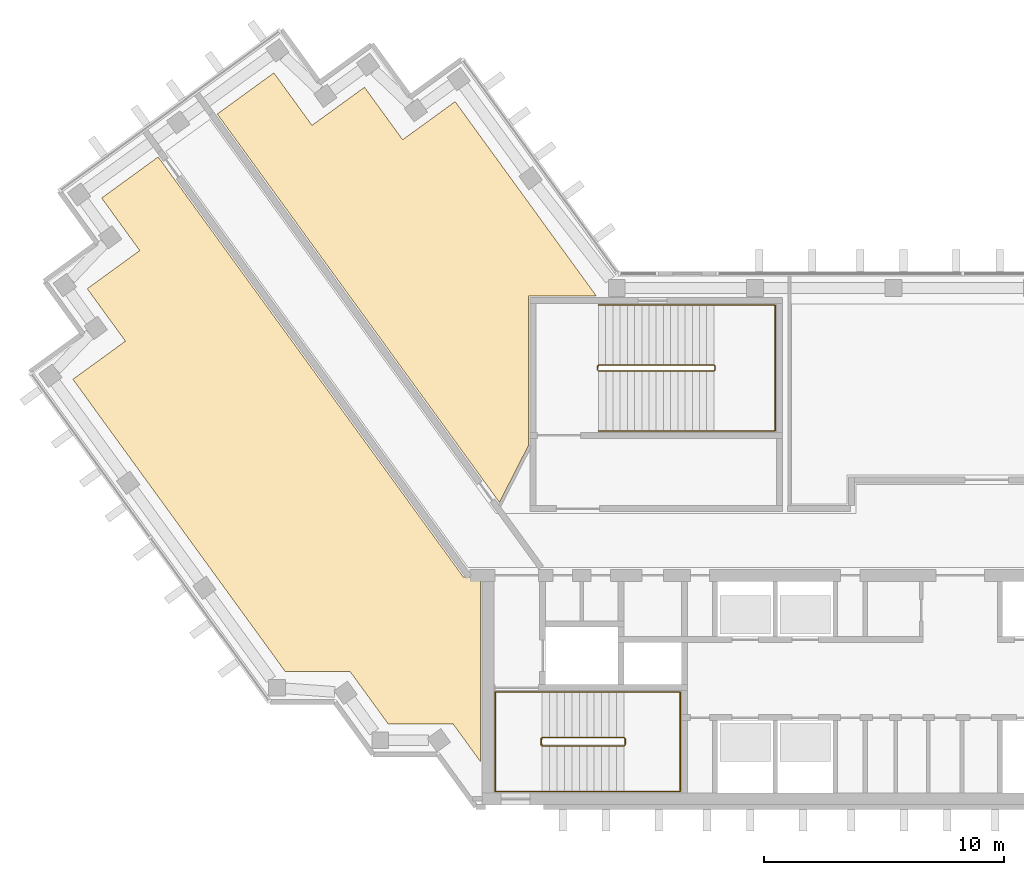
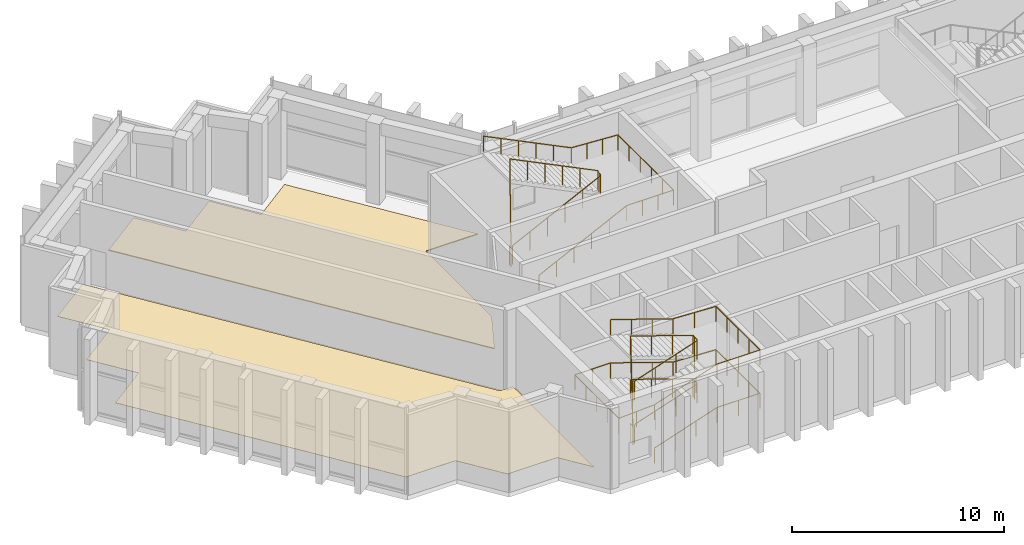
# One storey, part 12 of 14: 4 railings, 2 coverings.
"""IFC4 building model written with IfcOpenShell, lengths in metres."""

from ifc_helpers import new_model, si_unit, direction, frame, origin, origin_2d, place, context, subcontext, project, spatial, polyline, circle, outline, extrude, material, layer, layer_set, type_object, element, save


model = new_model("IFC4")

# Units and contexts
model_context = context("Model", 3, precision=1e-05, world=origin(), true_north=direction((0.0, 1.0)))
body_context = subcontext(model_context, "Body", "Model", "MODEL_VIEW")
ifc_project = project(units=[si_unit("LENGTHUNIT", "METRE"), si_unit("AREAUNIT", "SQUARE_METRE"), si_unit("VOLUMEUNIT", "CUBIC_METRE"), si_unit("PLANEANGLEUNIT", "RADIAN"), si_unit("MASSUNIT", "GRAM", prefix="KILO")], contexts=[model_context])

# Site, building, storey
site_placement = place(None, origin())
site = spatial("IfcSite", under=ifc_project, at=site_placement, CompositionType="ELEMENT")
building_placement = place(site_placement, origin())
building = spatial("IfcBuilding", under=site, at=building_placement, Name="Quipu Civic Tower", CompositionType="ELEMENT")
storey_placement = place(building_placement, frame((0.0, 0.0, 248.0)))
storey = spatial("IfcBuildingStorey", under=building, at=storey_placement, Name="L58", CompositionType="ELEMENT", Elevation=248.0)

# Coverings
ifc_material_1 = material(Name="Carpet tile on raised access floor")
ifc_layer_1 = layer(ifc_material_1, 0.02001953125)
ifc_layer_set_1 = layer_set([ifc_layer_1], Name="Carpet tile on raised access floor")
covering_type_1 = type_object("IfcCoveringType", Name="Carpet tile floor finish 20", PredefinedType="FLOORING", material=ifc_layer_set_1)
covering_1_placement = place(storey_placement, origin())
element("IfcCovering", 1, at=covering_1_placement, inside=storey, type_object=covering_type_1, Name="Carpet tile floor finish 20", PredefinedType="FLOORING", context=body_context, shape_type="SweptSolid", body=[
    extrude(outline(polyline([(-37.02197265625, 6.7060546875), (-34.839111328125, 8.291015625), (-36.425048828125, 10.47607421875), (-34.240966796875, 12.06396484375), (-35.826904296875, 14.248046875), (-33.472900390625, 15.9580078125), (-20.77490234375, -1.51904296875), (-20.070068359375, -1.52001953125), (-20.070068359375, -9.195068359375), (-21.196044921875, -7.64599609375), (-23.89501953125, -7.64599609375), (-25.48193359375, -5.4619140625), (-28.181884765625, -5.4609375), (-37.02197265625, 6.7060546875)])), origin(), (0.0, 0.0, 1.0), 0.02001953125),
])
ifc_material_2 = material(Name="Sealed cement screed")
ifc_layer_2 = layer(ifc_material_2, 0.050048828125)
ifc_layer_set_2 = layer_set([ifc_layer_2], Name="Sealed cement screed")
covering_type_2 = type_object("IfcCoveringType", Name="Sealed screed floor finish 50", PredefinedType="FLOORING", material=ifc_layer_set_2)
covering_2_placement = place(storey_placement, origin())
element("IfcCovering", 2, at=covering_2_placement, inside=storey, type_object=covering_type_2, Name="Sealed screed floor finish 50", PredefinedType="FLOORING", context=body_context, shape_type="SweptSolid", body=[
    extrude(outline(polyline([(-31.013916015625, 17.7451171875), (-28.658935546875, 19.455078125), (-27.073974609375, 17.27197265625), (-24.887939453125, 18.85791015625), (-23.301025390625, 16.675048828125), (-21.116943359375, 18.260986328125), (-15.238037109375, 10.169921875), (-18.070068359375, 10.1689453125), (-18.070068359375, 3.94189453125), (-19.27197265625, 1.583984375), (-31.013916015625, 17.7451171875)])), origin(), (0.0, 0.0, 1.0), 0.050048828125),
])

# Railings
ifc_material_3 = material(Name="Stainless steel", Category="steel")
railing_type_1 = type_object("IfcRailingType", Name="Stair guard 1100", PredefinedType="GUARDRAIL", material=ifc_material_3)
railing_1_placement = place(storey_placement, frame((-17.5, -8.550048828125, 0.104248046875)))
element("IfcRailing", 3, at=railing_1_placement, inside=storey, type_object=railing_type_1, Name="Stair 1 guard", PredefinedType="GUARDRAIL", context=body_context, shape_type="SweptSolid", body=[
    extrude(circle(Radius=0.02392578125, at=origin_2d()), frame((0.0, 0.0, 1.076171875), z_axis=(0.947920429252, 0.0, 0.318507236663), x_axis=(0.0, 1.0, 0.0)), (0.0, 0.0, 1.0), 3.59716796875),
    extrude(circle(Radius=0.02392578125, at=origin_2d()), frame((3.409912109375, 0.0, 2.2216796875), z_axis=(0.707106781187, 0.707106781187, 0.0), x_axis=(-0.707106781187, 0.707106781187, 0.0)), (0.0, 0.0, 1.0), 0.07080078125),
    extrude(circle(Radius=0.02392578125, at=origin_2d()), frame((3.4599609375, 0.050048828125, 2.2216796875), z_axis=(0.0, 1.0, 0.0), x_axis=(-1.0, 0.0, 0.0)), (0.0, 0.0, 1.0), 0.25),
    extrude(circle(Radius=0.02392578125, at=origin_2d()), frame((3.4599609375, 0.300048828125, 2.2216796875), z_axis=(-0.397195087895, 0.397195087895, 0.82732830503), x_axis=(-0.707106781187, -0.707106781187, 0.0)), (0.0, 0.0, 1.0), 0.1259765625),
    extrude(circle(Radius=0.02392578125, at=origin_2d()), frame((3.409912109375, 0.35009765625, 2.326171875), z_axis=(-0.947920429252, 0.0, 0.318507236663), x_axis=(0.0, -1.0, 0.0)), (0.0, 0.0, 1.0), 3.59716796875),
    extrude(circle(Radius=0.02392578125, at=origin_2d()), frame((0.0, 0.35009765625, 3.4716796875), z_axis=(-0.164529134168, -0.986372223864, 0.0), x_axis=(0.986372223864, -0.164529134168, 0.0)), (0.0, 0.0, 1.0), 0.30419921875),
    extrude(circle(Radius=0.02392578125, at=origin_2d()), frame((-0.050048828125, 0.050048828125, 3.4716796875), z_axis=(0.0, 1.0, 0.0), x_axis=(-1.0, 0.0, 0.0)), (0.0, 0.0, 1.0), 0.25),
    extrude(circle(Radius=0.02392578125, at=origin_2d()), frame((-0.050048828125, 0.300048828125, 3.4716796875), z_axis=(0.155643067013, -0.933099167607, 0.324193120072), x_axis=(0.986372223864, 0.164529134168, 0.0)), (0.0, 0.0, 1.0), 0.321533203125),
    extrude(circle(Radius=0.02392578125, at=origin_2d()), frame((0.0, 0.0, 3.576171875), z_axis=(0.947920429252, 0.0, 0.318507236663), x_axis=(0.0, 1.0, 0.0)), (0.0, 0.0, 1.0), 3.59716796875),
    extrude(circle(Radius=0.02392578125, at=origin_2d()), frame((3.409912109375, 0.0, 4.7216796875), z_axis=(0.707106781187, 0.707106781187, 0.0), x_axis=(-0.707106781187, 0.707106781187, 0.0)), (0.0, 0.0, 1.0), 0.07080078125),
    extrude(circle(Radius=0.02392578125, at=origin_2d()), frame((3.4599609375, 0.050048828125, 4.7216796875), z_axis=(0.0, 1.0, 0.0), x_axis=(-1.0, 0.0, 0.0)), (0.0, 0.0, 1.0), 0.25),
    extrude(circle(Radius=0.02392578125, at=origin_2d()), frame((3.4599609375, 0.300048828125, 4.7216796875), z_axis=(-0.397195087895, 0.397195087895, 0.82732830503), x_axis=(-0.707106781187, -0.707106781187, 0.0)), (0.0, 0.0, 1.0), 0.1259765625),
    extrude(circle(Radius=0.02392578125, at=origin_2d()), frame((3.409912109375, 0.35009765625, 4.826171875), z_axis=(-0.947920429252, 0.0, 0.318507236663), x_axis=(0.0, -1.0, 0.0)), (0.0, 0.0, 1.0), 3.59716796875),
    extrude(circle(Radius=0.02392578125, at=origin_2d()), frame((0.0, 0.35009765625, 5.9716796875), z_axis=(-0.009991291983, -0.059899013886, -0.998154438061), x_axis=(0.986372223864, -0.164529134168, 0.0)), (0.0, 0.0, 1.0), 5.00927734375),
    extrude(circle(Radius=0.02392578125, at=origin_2d()), frame((-0.050048828125, 0.050048828125, 0.9716796875), z_axis=(0.0, 1.0, 0.0), x_axis=(-1.0, 0.0, 0.0)), (0.0, 0.0, 1.0), 0.25),
    extrude(circle(Radius=0.02099609375, at=origin_2d()), origin(), (0.0, 0.0, 1.0), 1.052001953125),
    extrude(circle(Radius=0.02099609375, at=origin_2d()), frame((1.13671875, 0.0, 0.3818359375)), (0.0, 0.0, 1.0), 1.052001953125),
    extrude(circle(Radius=0.02099609375, at=origin_2d()), frame((2.273193359375, 0.0, 0.763916015625)), (0.0, 0.0, 1.0), 1.052001953125),
    extrude(circle(Radius=0.02099609375, at=origin_2d()), frame((3.409912109375, 0.0, 1.145751953125)), (0.0, 0.0, 1.0), 1.052001953125),
    extrude(circle(Radius=0.02099609375, at=origin_2d()), frame((3.4599609375, 0.050048828125, 1.145751953125)), (0.0, 0.0, 1.0), 1.052001953125),
    extrude(circle(Radius=0.02099609375, at=origin_2d()), frame((3.4599609375, 0.300048828125, 1.145751953125)), (0.0, 0.0, 1.0), 1.052001953125),
    extrude(circle(Radius=0.02099609375, at=origin_2d()), frame((3.409912109375, 0.35009765625, 1.25)), (0.0, 0.0, 1.0), 1.052001953125),
    extrude(circle(Radius=0.02099609375, at=origin_2d()), frame((2.273193359375, 0.35009765625, 1.6318359375)), (0.0, 0.0, 1.0), 1.052001953125),
    extrude(circle(Radius=0.02099609375, at=origin_2d()), frame((1.13671875, 0.35009765625, 2.013916015625)), (0.0, 0.0, 1.0), 1.052001953125),
    extrude(circle(Radius=0.02099609375, at=origin_2d()), frame((0.0, 0.35009765625, 2.395751953125)), (0.0, 0.0, 1.0), 1.052001953125),
    extrude(circle(Radius=0.02099609375, at=origin_2d()), frame((-0.050048828125, 0.050048828125, 2.395751953125)), (0.0, 0.0, 1.0), 1.052001953125),
    extrude(circle(Radius=0.02099609375, at=origin_2d()), frame((-0.050048828125, 0.300048828125, 2.395751953125)), (0.0, 0.0, 1.0), 1.052001953125),
    extrude(circle(Radius=0.02099609375, at=origin_2d()), frame((0.0, 0.0, 2.5)), (0.0, 0.0, 1.0), 1.052001953125),
    extrude(circle(Radius=0.02099609375, at=origin_2d()), frame((1.13671875, 0.0, 2.8818359375)), (0.0, 0.0, 1.0), 1.052001953125),
    extrude(circle(Radius=0.02099609375, at=origin_2d()), frame((2.273193359375, 0.0, 3.263916015625)), (0.0, 0.0, 1.0), 1.052001953125),
    extrude(circle(Radius=0.02099609375, at=origin_2d()), frame((3.409912109375, 0.0, 3.645751953125)), (0.0, 0.0, 1.0), 1.052001953125),
    extrude(circle(Radius=0.02099609375, at=origin_2d()), frame((3.4599609375, 0.050048828125, 3.645751953125)), (0.0, 0.0, 1.0), 1.052001953125),
    extrude(circle(Radius=0.02099609375, at=origin_2d()), frame((3.4599609375, 0.300048828125, 3.645751953125)), (0.0, 0.0, 1.0), 1.052001953125),
    extrude(circle(Radius=0.02099609375, at=origin_2d()), frame((3.409912109375, 0.35009765625, 3.75)), (0.0, 0.0, 1.0), 1.052001953125),
    extrude(circle(Radius=0.02099609375, at=origin_2d()), frame((2.273193359375, 0.35009765625, 4.1318359375)), (0.0, 0.0, 1.0), 1.052001953125),
    extrude(circle(Radius=0.02099609375, at=origin_2d()), frame((1.13671875, 0.35009765625, 4.513916015625)), (0.0, 0.0, 1.0), 1.052001953125),
    extrude(circle(Radius=0.02099609375, at=origin_2d()), frame((0.0, 0.35009765625, 4.895751953125)), (0.0, 0.0, 1.0), 1.052001953125),
    extrude(circle(Radius=0.02099609375, at=origin_2d()), frame((-0.010009765625, 0.2900390625, 3.895751953125)), (0.0, 0.0, 1.0), 1.052001953125),
    extrude(circle(Radius=0.02099609375, at=origin_2d()), frame((-0.02001953125, 0.22998046875, 2.895751953125)), (0.0, 0.0, 1.0), 1.052001953125),
    extrude(circle(Radius=0.02099609375, at=origin_2d()), frame((-0.030029296875, 0.170166015625, 1.895751953125)), (0.0, 0.0, 1.0), 1.052001953125),
    extrude(circle(Radius=0.02099609375, at=origin_2d()), frame((-0.0400390625, 0.110107421875, 0.895751953125)), (0.0, 0.0, 1.0), 1.052001953125),
    extrude(circle(Radius=0.02099609375, at=origin_2d()), frame((-0.050048828125, 0.050048828125, -0.104248046875)), (0.0, 0.0, 1.0), 1.052001953125),
    extrude(circle(Radius=0.02099609375, at=origin_2d()), frame((-0.050048828125, 0.300048828125, -0.104248046875)), (0.0, 0.0, 1.0), 1.052001953125),
])
railing_2_placement = place(storey_placement, frame((-15.14990234375, 7.050048828125, 0.14697265625)))
element("IfcRailing", 4, at=railing_2_placement, inside=storey, type_object=railing_type_1, Name="Stair 3 guard", PredefinedType="GUARDRAIL", context=body_context, shape_type="SweptSolid", body=[
    extrude(circle(Radius=0.02392578125, at=origin_2d()), frame((0.0, 0.0, 1.076171875), z_axis=(0.897907272774, 0.0, 0.440184653866), x_axis=(0.0, 1.0, 0.0)), (0.0, 0.0, 1.0), 5.345458984375),
    extrude(circle(Radius=0.02392578125, at=origin_2d()), frame((4.7998046875, 0.0, 3.42919921875), z_axis=(0.707106781187, 0.707106781187, 0.0), x_axis=(-0.707106781187, 0.707106781187, 0.0)), (0.0, 0.0, 1.0), 0.07080078125),
    extrude(circle(Radius=0.02392578125, at=origin_2d()), frame((4.849853515625, 0.050048828125, 3.42919921875), z_axis=(0.0, 1.0, 0.0), x_axis=(-1.0, 0.0, 0.0)), (0.0, 0.0, 1.0), 0.14990234375),
    extrude(circle(Radius=0.02392578125, at=origin_2d()), frame((4.849853515625, 0.199951171875, 3.42919921875), z_axis=(-0.306807167972, 0.306807167972, 0.900965439605), x_axis=(-0.707106781187, -0.707106781187, 0.0)), (0.0, 0.0, 1.0), 0.1630859375),
    extrude(circle(Radius=0.02392578125, at=origin_2d()), frame((4.7998046875, 0.25, 3.576171875), z_axis=(-0.897907272774, 0.0, 0.440184653866), x_axis=(0.0, -1.0, 0.0)), (0.0, 0.0, 1.0), 5.345458984375),
    extrude(circle(Radius=0.02392578125, at=origin_2d()), frame((0.0, 0.25, 5.92919921875), z_axis=(-0.010001271081, -0.039956297636, -0.999151374345), x_axis=(0.970072785993, -0.242814311512, 0.0)), (0.0, 0.0, 1.0), 5.004150390625),
    extrude(circle(Radius=0.02392578125, at=origin_2d()), frame((-0.050048828125, 0.050048828125, 0.92919921875), z_axis=(0.0, 1.0, 0.0), x_axis=(-1.0, 0.0, 0.0)), (0.0, 0.0, 1.0), 0.14990234375),
    extrude(circle(Radius=0.02099609375, at=origin_2d()), origin(), (0.0, 0.0, 1.0), 1.052001953125),
    extrude(circle(Radius=0.02099609375, at=origin_2d()), frame((0.9599609375, 0.0, 0.470703125)), (0.0, 0.0, 1.0), 1.052001953125),
    extrude(circle(Radius=0.02099609375, at=origin_2d()), frame((1.919921875, 0.0, 0.941162109375)), (0.0, 0.0, 1.0), 1.052001953125),
    extrude(circle(Radius=0.02099609375, at=origin_2d()), frame((2.8798828125, 0.0, 1.411865234375)), (0.0, 0.0, 1.0), 1.052001953125),
    extrude(circle(Radius=0.02099609375, at=origin_2d()), frame((3.83984375, 0.0, 1.88232421875)), (0.0, 0.0, 1.0), 1.052001953125),
    extrude(circle(Radius=0.02099609375, at=origin_2d()), frame((4.7998046875, 0.0, 2.35302734375)), (0.0, 0.0, 1.0), 1.052001953125),
    extrude(circle(Radius=0.02099609375, at=origin_2d()), frame((4.849853515625, 0.050048828125, 2.35302734375)), (0.0, 0.0, 1.0), 1.052001953125),
    extrude(circle(Radius=0.02099609375, at=origin_2d()), frame((4.849853515625, 0.199951171875, 2.35302734375)), (0.0, 0.0, 1.0), 1.052001953125),
    extrude(circle(Radius=0.02099609375, at=origin_2d()), frame((4.7998046875, 0.25, 2.5)), (0.0, 0.0, 1.0), 1.052001953125),
    extrude(circle(Radius=0.02099609375, at=origin_2d()), frame((3.83984375, 0.25, 2.970703125)), (0.0, 0.0, 1.0), 1.052001953125),
    extrude(circle(Radius=0.02099609375, at=origin_2d()), frame((2.8798828125, 0.25, 3.441162109375)), (0.0, 0.0, 1.0), 1.052001953125),
    extrude(circle(Radius=0.02099609375, at=origin_2d()), frame((1.919921875, 0.25, 3.911865234375)), (0.0, 0.0, 1.0), 1.052001953125),
    extrude(circle(Radius=0.02099609375, at=origin_2d()), frame((0.9599609375, 0.25, 4.38232421875)), (0.0, 0.0, 1.0), 1.052001953125),
    extrude(circle(Radius=0.02099609375, at=origin_2d()), frame((0.0, 0.25, 4.85302734375)), (0.0, 0.0, 1.0), 1.052001953125),
    extrude(circle(Radius=0.02099609375, at=origin_2d()), frame((-0.010009765625, 0.2099609375, 3.85302734375)), (0.0, 0.0, 1.0), 1.052001953125),
    extrude(circle(Radius=0.02099609375, at=origin_2d()), frame((-0.02001953125, 0.169921875, 2.85302734375)), (0.0, 0.0, 1.0), 1.052001953125),
    extrude(circle(Radius=0.02099609375, at=origin_2d()), frame((-0.030029296875, 0.130126953125, 1.85302734375)), (0.0, 0.0, 1.0), 1.052001953125),
    extrude(circle(Radius=0.02099609375, at=origin_2d()), frame((-0.0400390625, 0.090087890625, 0.85302734375)), (0.0, 0.0, 1.0), 1.052001953125),
    extrude(circle(Radius=0.02099609375, at=origin_2d()), frame((-0.050048828125, 0.050048828125, -0.14697265625)), (0.0, 0.0, 1.0), 1.052001953125),
    extrude(circle(Radius=0.02099609375, at=origin_2d()), frame((-0.050048828125, 0.199951171875, -0.14697265625)), (0.0, 0.0, 1.0), 1.052001953125),
])
ifc_material_4 = material(Name="Stainless steel", Category="steel")
railing_type_2 = type_object("IfcRailingType", Name="Stair handrail", PredefinedType="HANDRAIL", material=ifc_material_4)
railing_3_placement = place(storey_placement, frame((-17.5, -10.449951171875, 0.104248046875)))
element("IfcRailing", 5, at=railing_3_placement, inside=storey, type_object=railing_type_2, Name="Stair 1 handrail", PredefinedType="HANDRAIL", context=body_context, shape_type="SweptSolid", body=[
    extrude(circle(Radius=0.02392578125, at=origin_2d()), frame((0.0, 0.0, 0.8759765625), z_axis=(0.947920429252, 0.0, 0.318507236663), x_axis=(0.0, 1.0, 0.0)), (0.0, 0.0, 1.0), 3.59716796875),
    extrude(circle(Radius=0.02392578125, at=origin_2d()), frame((3.409912109375, 0.0, 2.021484375), z_axis=(1.0, 0.0, 0.0), x_axis=(0.0, 1.0, 0.0)), (0.0, 0.0, 1.0), 2.340087890625),
    extrude(circle(Radius=0.02392578125, at=origin_2d()), frame((5.75, 0.0, 2.021484375), z_axis=(0.0, 1.0, 0.0), x_axis=(-1.0, 0.0, 0.0)), (0.0, 0.0, 1.0), 4.14990234375),
    extrude(circle(Radius=0.02392578125, at=origin_2d()), frame((5.75, 4.14990234375, 2.021484375), z_axis=(-0.999009177902, 0.0, 0.044504634216), x_axis=(0.0, -1.0, 0.0)), (0.0, 0.0, 1.0), 2.342529296875),
    extrude(circle(Radius=0.02392578125, at=origin_2d()), frame((3.409912109375, 4.14990234375, 2.1259765625), z_axis=(-0.947920429252, 0.0, 0.318507236663), x_axis=(0.0, -1.0, 0.0)), (0.0, 0.0, 1.0), 3.59716796875),
    extrude(circle(Radius=0.02392578125, at=origin_2d()), frame((0.0, 4.14990234375, 3.271484375), z_axis=(-1.0, 0.0, 0.0), x_axis=(0.0, -1.0, 0.0)), (0.0, 0.0, 1.0), 1.949951171875),
    extrude(circle(Radius=0.02392578125, at=origin_2d()), frame((-1.949951171875, 4.14990234375, 3.271484375), z_axis=(0.0, -1.0, 0.0), x_axis=(1.0, 0.0, 0.0)), (0.0, 0.0, 1.0), 4.14990234375),
    extrude(circle(Radius=0.02392578125, at=origin_2d()), frame((-1.949951171875, 0.0, 3.271484375), z_axis=(0.998573970084, 0.0, 0.053385637314), x_axis=(0.0, 1.0, 0.0)), (0.0, 0.0, 1.0), 1.95263671875),
    extrude(circle(Radius=0.02392578125, at=origin_2d()), frame((0.0, 0.0, 3.3759765625), z_axis=(0.947920429252, 0.0, 0.318507236663), x_axis=(0.0, 1.0, 0.0)), (0.0, 0.0, 1.0), 3.59716796875),
    extrude(circle(Radius=0.02392578125, at=origin_2d()), frame((3.409912109375, 0.0, 4.521484375), z_axis=(1.0, 0.0, 0.0), x_axis=(0.0, 1.0, 0.0)), (0.0, 0.0, 1.0), 2.340087890625),
    extrude(circle(Radius=0.02392578125, at=origin_2d()), frame((5.75, 0.0, 4.521484375), z_axis=(0.0, 1.0, 0.0), x_axis=(-1.0, 0.0, 0.0)), (0.0, 0.0, 1.0), 4.14990234375),
    extrude(circle(Radius=0.02392578125, at=origin_2d()), frame((5.75, 4.14990234375, 4.521484375), z_axis=(-0.999009177902, 0.0, 0.044504634216), x_axis=(0.0, -1.0, 0.0)), (0.0, 0.0, 1.0), 2.342529296875),
    extrude(circle(Radius=0.02392578125, at=origin_2d()), frame((3.409912109375, 4.14990234375, 4.6259765625), z_axis=(-0.947920429252, 0.0, 0.318507236663), x_axis=(0.0, -1.0, 0.0)), (0.0, 0.0, 1.0), 3.59716796875),
    extrude(circle(Radius=0.02099609375, at=origin_2d()), origin(), (0.0, 0.0, 1.0), 0.851806640625),
    extrude(circle(Radius=0.02099609375, at=origin_2d()), frame((1.13671875, 0.0, 0.3818359375)), (0.0, 0.0, 1.0), 0.851806640625),
    extrude(circle(Radius=0.02099609375, at=origin_2d()), frame((2.273193359375, 0.0, 0.763916015625)), (0.0, 0.0, 1.0), 0.851806640625),
    extrude(circle(Radius=0.02099609375, at=origin_2d()), frame((3.409912109375, 0.0, 1.145751953125)), (0.0, 0.0, 1.0), 0.851806640625),
    extrude(circle(Radius=0.02099609375, at=origin_2d()), frame((4.580078125, 0.0, 1.145751953125)), (0.0, 0.0, 1.0), 0.851806640625),
    extrude(circle(Radius=0.02099609375, at=origin_2d()), frame((5.75, 0.0, 1.145751953125)), (0.0, 0.0, 1.0), 0.851806640625),
    extrude(circle(Radius=0.02099609375, at=origin_2d()), frame((5.75, 1.03759765625, 1.145751953125)), (0.0, 0.0, 1.0), 0.851806640625),
    extrude(circle(Radius=0.02099609375, at=origin_2d()), frame((5.75, 2.074951171875, 1.145751953125)), (0.0, 0.0, 1.0), 0.851806640625),
    extrude(circle(Radius=0.02099609375, at=origin_2d()), frame((5.75, 3.1123046875, 1.145751953125)), (0.0, 0.0, 1.0), 0.851806640625),
    extrude(circle(Radius=0.02099609375, at=origin_2d()), frame((5.75, 4.14990234375, 1.145751953125)), (0.0, 0.0, 1.0), 0.851806640625),
    extrude(circle(Radius=0.02099609375, at=origin_2d()), frame((4.580078125, 4.14990234375, 1.19775390625)), (0.0, 0.0, 1.0), 0.851806640625),
    extrude(circle(Radius=0.02099609375, at=origin_2d()), frame((3.409912109375, 4.14990234375, 1.25)), (0.0, 0.0, 1.0), 0.851806640625),
    extrude(circle(Radius=0.02099609375, at=origin_2d()), frame((2.273193359375, 4.14990234375, 1.6318359375)), (0.0, 0.0, 1.0), 0.851806640625),
    extrude(circle(Radius=0.02099609375, at=origin_2d()), frame((1.13671875, 4.14990234375, 2.013916015625)), (0.0, 0.0, 1.0), 0.851806640625),
    extrude(circle(Radius=0.02099609375, at=origin_2d()), frame((0.0, 4.14990234375, 2.395751953125)), (0.0, 0.0, 1.0), 0.851806640625),
    extrude(circle(Radius=0.02099609375, at=origin_2d()), frame((-0.97509765625, 4.14990234375, 2.395751953125)), (0.0, 0.0, 1.0), 0.851806640625),
    extrude(circle(Radius=0.02099609375, at=origin_2d()), frame((-1.949951171875, 4.14990234375, 2.395751953125)), (0.0, 0.0, 1.0), 0.851806640625),
    extrude(circle(Radius=0.02099609375, at=origin_2d()), frame((-1.949951171875, 3.1123046875, 2.395751953125)), (0.0, 0.0, 1.0), 0.851806640625),
    extrude(circle(Radius=0.02099609375, at=origin_2d()), frame((-1.949951171875, 2.074951171875, 2.395751953125)), (0.0, 0.0, 1.0), 0.851806640625),
    extrude(circle(Radius=0.02099609375, at=origin_2d()), frame((-1.949951171875, 1.03759765625, 2.395751953125)), (0.0, 0.0, 1.0), 0.851806640625),
    extrude(circle(Radius=0.02099609375, at=origin_2d()), frame((-1.949951171875, 0.0, 2.395751953125)), (0.0, 0.0, 1.0), 0.851806640625),
    extrude(circle(Radius=0.02099609375, at=origin_2d()), frame((-0.97509765625, 0.0, 2.44775390625)), (0.0, 0.0, 1.0), 0.851806640625),
    extrude(circle(Radius=0.02099609375, at=origin_2d()), frame((0.0, 0.0, 2.5)), (0.0, 0.0, 1.0), 0.851806640625),
    extrude(circle(Radius=0.02099609375, at=origin_2d()), frame((1.13671875, 0.0, 2.8818359375)), (0.0, 0.0, 1.0), 0.851806640625),
    extrude(circle(Radius=0.02099609375, at=origin_2d()), frame((2.273193359375, 0.0, 3.263916015625)), (0.0, 0.0, 1.0), 0.851806640625),
    extrude(circle(Radius=0.02099609375, at=origin_2d()), frame((3.409912109375, 0.0, 3.645751953125)), (0.0, 0.0, 1.0), 0.851806640625),
    extrude(circle(Radius=0.02099609375, at=origin_2d()), frame((4.580078125, 0.0, 3.645751953125)), (0.0, 0.0, 1.0), 0.851806640625),
    extrude(circle(Radius=0.02099609375, at=origin_2d()), frame((5.75, 0.0, 3.645751953125)), (0.0, 0.0, 1.0), 0.851806640625),
    extrude(circle(Radius=0.02099609375, at=origin_2d()), frame((5.75, 1.03759765625, 3.645751953125)), (0.0, 0.0, 1.0), 0.851806640625),
    extrude(circle(Radius=0.02099609375, at=origin_2d()), frame((5.75, 2.074951171875, 3.645751953125)), (0.0, 0.0, 1.0), 0.851806640625),
    extrude(circle(Radius=0.02099609375, at=origin_2d()), frame((5.75, 3.1123046875, 3.645751953125)), (0.0, 0.0, 1.0), 0.851806640625),
    extrude(circle(Radius=0.02099609375, at=origin_2d()), frame((5.75, 4.14990234375, 3.645751953125)), (0.0, 0.0, 1.0), 0.851806640625),
    extrude(circle(Radius=0.02099609375, at=origin_2d()), frame((4.580078125, 4.14990234375, 3.69775390625)), (0.0, 0.0, 1.0), 0.851806640625),
    extrude(circle(Radius=0.02099609375, at=origin_2d()), frame((3.409912109375, 4.14990234375, 3.75)), (0.0, 0.0, 1.0), 0.851806640625),
    extrude(circle(Radius=0.02099609375, at=origin_2d()), frame((2.273193359375, 4.14990234375, 4.1318359375)), (0.0, 0.0, 1.0), 0.851806640625),
    extrude(circle(Radius=0.02099609375, at=origin_2d()), frame((1.13671875, 4.14990234375, 4.513916015625)), (0.0, 0.0, 1.0), 0.851806640625),
    extrude(circle(Radius=0.02099609375, at=origin_2d()), frame((0.0, 4.14990234375, 4.895751953125)), (0.0, 0.0, 1.0), 0.851806640625),
])
railing_4_placement = place(storey_placement, frame((-15.14990234375, 4.550048828125, 0.14697265625)))
element("IfcRailing", 6, at=railing_4_placement, inside=storey, type_object=railing_type_2, Name="Stair 3 handrail", PredefinedType="HANDRAIL", context=body_context, shape_type="SweptSolid", body=[
    extrude(circle(Radius=0.02392578125, at=origin_2d()), frame((0.0, 0.0, 0.8759765625), z_axis=(0.897907272774, 0.0, 0.440184653866), x_axis=(0.0, 1.0, 0.0)), (0.0, 0.0, 1.0), 5.345458984375),
    extrude(circle(Radius=0.02392578125, at=origin_2d()), frame((4.7998046875, 0.0, 3.22900390625), z_axis=(1.0, 0.0, 0.0), x_axis=(0.0, 1.0, 0.0)), (0.0, 0.0, 1.0), 2.550048828125),
    extrude(circle(Radius=0.02392578125, at=origin_2d()), frame((7.349853515625, 0.0, 3.22900390625), z_axis=(0.0, 1.0, 0.0), x_axis=(-1.0, 0.0, 0.0)), (0.0, 0.0, 1.0), 5.25),
    extrude(circle(Radius=0.02392578125, at=origin_2d()), frame((7.349853515625, 5.25, 3.22900390625), z_axis=(-0.998343216518, 0.0, 0.057539743068), x_axis=(0.0, -1.0, 0.0)), (0.0, 0.0, 1.0), 2.55419921875),
    extrude(circle(Radius=0.02392578125, at=origin_2d()), frame((4.7998046875, 5.25, 3.3759765625), z_axis=(-0.897907272774, 0.0, 0.440184653866), x_axis=(0.0, -1.0, 0.0)), (0.0, 0.0, 1.0), 5.345458984375),
    extrude(circle(Radius=0.02099609375, at=origin_2d()), origin(), (0.0, 0.0, 1.0), 0.851806640625),
    extrude(circle(Radius=0.02099609375, at=origin_2d()), frame((0.9599609375, 0.0, 0.470703125)), (0.0, 0.0, 1.0), 0.851806640625),
    extrude(circle(Radius=0.02099609375, at=origin_2d()), frame((1.919921875, 0.0, 0.941162109375)), (0.0, 0.0, 1.0), 0.851806640625),
    extrude(circle(Radius=0.02099609375, at=origin_2d()), frame((2.8798828125, 0.0, 1.411865234375)), (0.0, 0.0, 1.0), 0.851806640625),
    extrude(circle(Radius=0.02099609375, at=origin_2d()), frame((3.83984375, 0.0, 1.88232421875)), (0.0, 0.0, 1.0), 0.851806640625),
    extrude(circle(Radius=0.02099609375, at=origin_2d()), frame((4.7998046875, 0.0, 2.35302734375)), (0.0, 0.0, 1.0), 0.851806640625),
    extrude(circle(Radius=0.02099609375, at=origin_2d()), frame((5.64990234375, 0.0, 2.35302734375)), (0.0, 0.0, 1.0), 0.851806640625),
    extrude(circle(Radius=0.02099609375, at=origin_2d()), frame((6.499755859375, 0.0, 2.35302734375)), (0.0, 0.0, 1.0), 0.851806640625),
    extrude(circle(Radius=0.02099609375, at=origin_2d()), frame((7.349853515625, 0.0, 2.35302734375)), (0.0, 0.0, 1.0), 0.851806640625),
    extrude(circle(Radius=0.02099609375, at=origin_2d()), frame((7.349853515625, 1.050048828125, 2.35302734375)), (0.0, 0.0, 1.0), 0.851806640625),
    extrude(circle(Radius=0.02099609375, at=origin_2d()), frame((7.349853515625, 2.10009765625, 2.35302734375)), (0.0, 0.0, 1.0), 0.851806640625),
    extrude(circle(Radius=0.02099609375, at=origin_2d()), frame((7.349853515625, 3.14990234375, 2.35302734375)), (0.0, 0.0, 1.0), 0.851806640625),
    extrude(circle(Radius=0.02099609375, at=origin_2d()), frame((7.349853515625, 4.199951171875, 2.35302734375)), (0.0, 0.0, 1.0), 0.851806640625),
    extrude(circle(Radius=0.02099609375, at=origin_2d()), frame((7.349853515625, 5.25, 2.35302734375)), (0.0, 0.0, 1.0), 0.851806640625),
    extrude(circle(Radius=0.02099609375, at=origin_2d()), frame((6.499755859375, 5.25, 2.402099609375)), (0.0, 0.0, 1.0), 0.851806640625),
    extrude(circle(Radius=0.02099609375, at=origin_2d()), frame((5.64990234375, 5.25, 2.450927734375)), (0.0, 0.0, 1.0), 0.851806640625),
    extrude(circle(Radius=0.02099609375, at=origin_2d()), frame((4.7998046875, 5.25, 2.5)), (0.0, 0.0, 1.0), 0.851806640625),
    extrude(circle(Radius=0.02099609375, at=origin_2d()), frame((3.83984375, 5.25, 2.970703125)), (0.0, 0.0, 1.0), 0.851806640625),
    extrude(circle(Radius=0.02099609375, at=origin_2d()), frame((2.8798828125, 5.25, 3.441162109375)), (0.0, 0.0, 1.0), 0.851806640625),
    extrude(circle(Radius=0.02099609375, at=origin_2d()), frame((1.919921875, 5.25, 3.911865234375)), (0.0, 0.0, 1.0), 0.851806640625),
    extrude(circle(Radius=0.02099609375, at=origin_2d()), frame((0.9599609375, 5.25, 4.38232421875)), (0.0, 0.0, 1.0), 0.851806640625),
    extrude(circle(Radius=0.02099609375, at=origin_2d()), frame((0.0, 5.25, 4.85302734375)), (0.0, 0.0, 1.0), 0.851806640625),
])

save(model, "model.ifc")
